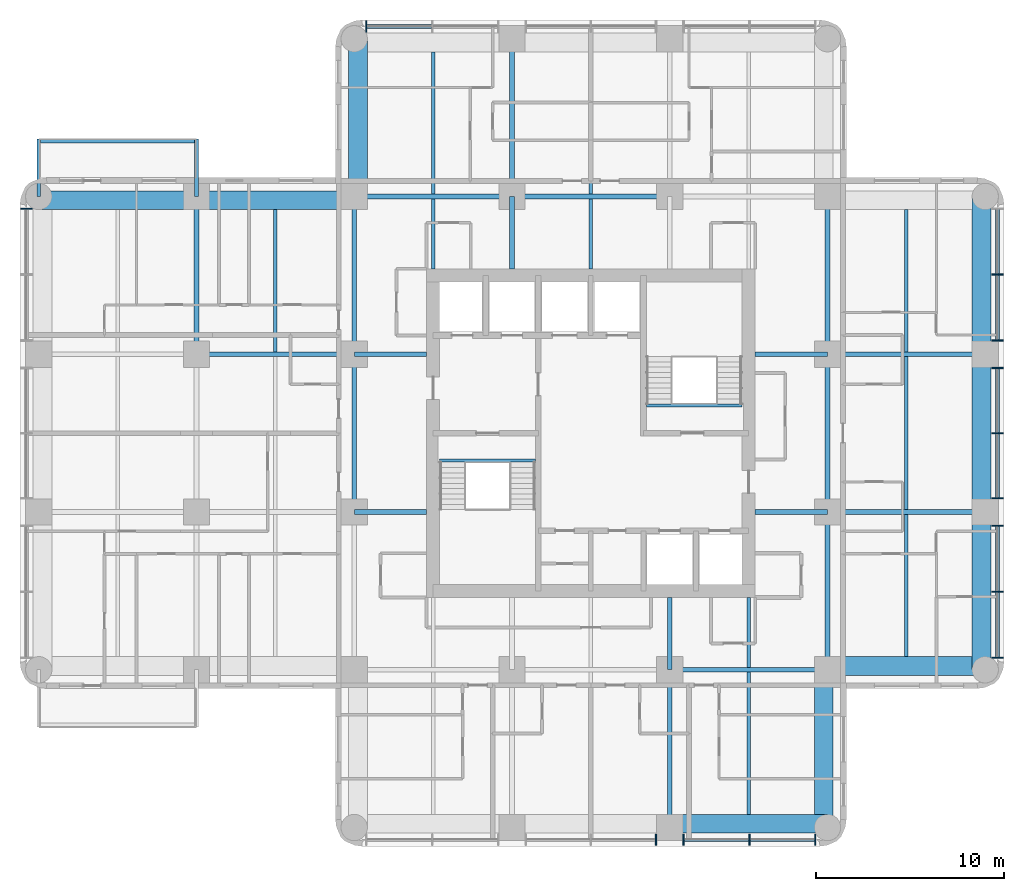
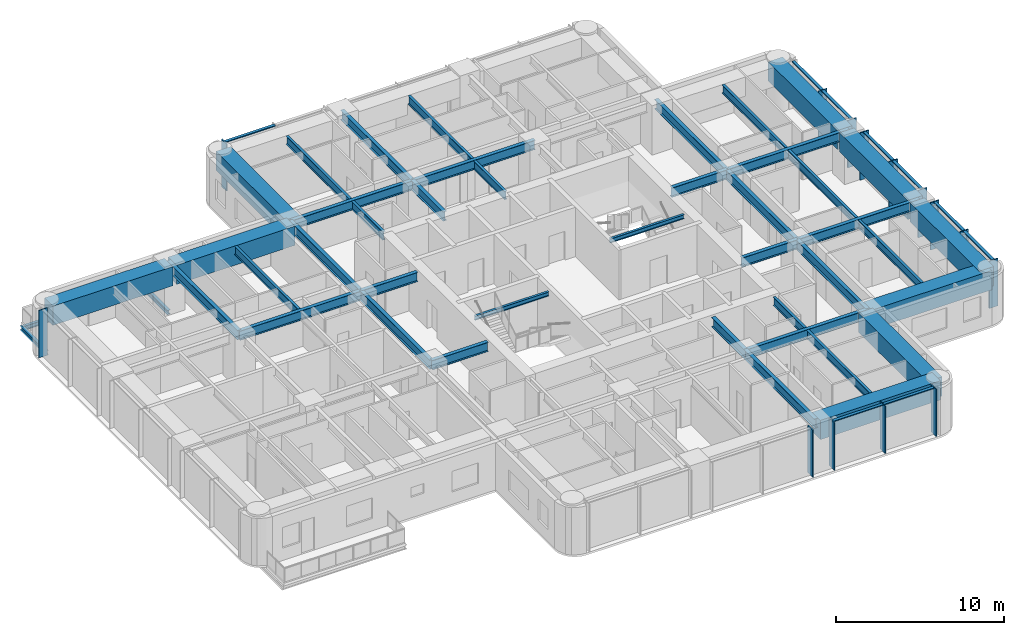
# One storey, part 2 of 11: 44 beams, 23 members, 4 elements without a shape of their own.
"""IFC4 building model written with IfcOpenShell, lengths in metres."""

from ifc_helpers import new_model, si_unit, direction, frame, origin, origin_2d, place, context, subcontext, project, spatial, rectangle, i_section, extrude, material, material_profile, profile_set, type_object, element, aggregate, save


model = new_model("IFC4")

# Units and contexts
model_context = context("Model", 3, precision=1e-05, world=origin(), true_north=direction((0.0, 1.0)))
body_context = subcontext(model_context, "Body", "Model", "MODEL_VIEW")
ifc_project = project(units=[si_unit("LENGTHUNIT", "METRE"), si_unit("AREAUNIT", "SQUARE_METRE"), si_unit("VOLUMEUNIT", "CUBIC_METRE"), si_unit("PLANEANGLEUNIT", "RADIAN"), si_unit("MASSUNIT", "GRAM", prefix="KILO")], contexts=[model_context])

# Site, building, storey
site_placement = place(None, origin())
site = spatial("IfcSite", under=ifc_project, at=site_placement, CompositionType="ELEMENT")
building_placement = place(site_placement, origin())
building = spatial("IfcBuilding", under=site, at=building_placement, Name="Torre Alcanfor", CompositionType="ELEMENT")
storey_placement = place(building_placement, frame((0.0, 0.0, 233.699951171875)))
storey = spatial("IfcBuildingStorey", under=building, at=storey_placement, Name="L61", CompositionType="ELEMENT", Elevation=233.699951171875)

# Beams
ifc_material_1 = material(Name="Steel ASTM A992 Grade 50", Category="steel")
ifc_material_profile_1 = material_profile(ifc_material_1, i_section(OverallWidth=0.205322265625, OverallDepth=0.309814453125, WebThickness=0.00927734375, FlangeThickness=0.016357421875, at=origin_2d()), Name="W12x50")
ifc_profile_set_1 = profile_set([ifc_material_profile_1], Name="Steel ASTM A992 Grade 50")
beam_type_1 = type_object("IfcBeamType", Name="Balcony cantilever beam W12x50", PredefinedType="BEAM", material=ifc_profile_set_1)
for number, where, z_axis, x_axis, name in (
    (1, (8.39990234375, 42.0, -0.35498046875), (0.0, 1.0, 0.0), (-1.0, 0.0, 0.0), "Balcony cantilever beam L61-W2 1"),
    (2, (0.0, 42.0, -0.35498046875), (0.0, 1.0, 0.0), (-1.0, 0.0, 0.0), "Balcony cantilever beam L61-W2 2"),
):
    element("IfcBeam", number, at=place(storey_placement, frame(where, z_axis=z_axis, x_axis=x_axis)), inside=storey, type_object=beam_type_1, Name=name, PredefinedType="BEAM", context=body_context, shape_type="SweptSolid", body=[
        extrude(i_section(OverallWidth=0.205322265625, OverallDepth=0.309814453125, WebThickness=0.00927734375, FlangeThickness=0.016357421875, at=origin_2d()), origin(), (0.0, 0.0, 1.0), 3.050048828125),
    ])
ifc_material_2 = material(Name="Steel ASTM A992 Grade 50", Category="steel")
ifc_material_profile_2 = material_profile(ifc_material_2, i_section(OverallWidth=0.203369140625, OverallDepth=0.30224609375, WebThickness=0.007568359375, FlangeThickness=0.01318359375, at=origin_2d()), Name="W12x40")
ifc_profile_set_2 = profile_set([ifc_material_profile_2], Name="Steel ASTM A992 Grade 50")
beam_type_2 = type_object("IfcBeamType", Name="Balcony edge trimmer W12x40", PredefinedType="BEAM", material=ifc_profile_set_2)
beam_1_placement = place(storey_placement, frame((8.39990234375, 44.9482421875, -0.35107421875), z_axis=(-1.0, 0.0, 0.0), x_axis=(0.0, -1.0, 0.0)))
element("IfcBeam", 3, at=beam_1_placement, inside=storey, type_object=beam_type_2, Name="Balcony edge trimmer L61-W2", PredefinedType="BEAM", context=body_context, shape_type="SweptSolid", body=[
    extrude(i_section(OverallWidth=0.203369140625, OverallDepth=0.30224609375, WebThickness=0.007568359375, FlangeThickness=0.01318359375, at=origin_2d()), origin(), (0.0, 0.0, 1.0), 8.39990234375),
])

# Curtain wall, member
ifc_material_3 = material(Name="Aluminium and glass", Category="aluminium")
curtain_wall_type = type_object("IfcCurtainWallType", Name="CW-A unitised apartment glazing with vertical FIN", PredefinedType="NOTDEFINED", material=ifc_material_3)
curtain_wall_1_placement = place(storey_placement, origin())
curtain_wall_1 = element("IfcCurtainWall", 4, at=curtain_wall_1_placement, inside=storey, type_object=curtain_wall_type, Name="Curtain wall CW-A L61 2", PredefinedType="NOTDEFINED")
ifc_material_4 = material(Name="Bronze anodised aluminium", Category="aluminium")
ifc_material_profile_3 = material_profile(ifc_material_4, rectangle(XDim=0.60009765625, YDim=0.06494140625, at=origin_2d()), Name="CW-A mullion 65x600")
ifc_profile_set_3 = profile_set([ifc_material_profile_3], Name="Bronze anodised aluminium")
member_type_1 = type_object("IfcMemberType", Name="CW-A mullion with vertical FIN 65x600", PredefinedType="MULLION", material=ifc_profile_set_3)
member_1_placement = place(storey_placement, frame((-0.64990234375, 41.35546875, 0.0), z_axis=(0.0, 0.0, 1.0), x_axis=(1.0, 0.0, 0.0)))
member_1 = element("IfcMember", 5, at=member_1_placement, type_object=member_type_1, Name="CW-A mullion 1.1", PredefinedType="MULLION", context=body_context, shape_type="SweptSolid", body=[
    extrude(rectangle(XDim=0.60009765625, YDim=0.06494140625, at=origin_2d()), origin(), (0.0, 0.0, 1.0), 3.449951171875),
])
aggregate(curtain_wall_1, [member_1])

# Curtain wall, members
curtain_wall_2_placement = place(storey_placement, origin())
curtain_wall_2 = element("IfcCurtainWall", 6, at=curtain_wall_2_placement, inside=storey, type_object=curtain_wall_type, Name="Curtain wall CW-A L61 5", PredefinedType="NOTDEFINED")
member_2_placement = place(storey_placement, frame((32.862548828125, 7.75, 0.0), z_axis=(0.0, 0.0, 1.0), x_axis=(0.0, 1.0, 0.0)))
member_2 = element("IfcMember", 7, at=member_2_placement, type_object=member_type_1, Name="CW-A mullion 2.3", PredefinedType="MULLION", context=body_context, shape_type="SweptSolid", body=[
    extrude(rectangle(XDim=0.60009765625, YDim=0.06494140625, at=origin_2d()), origin(), (0.0, 0.0, 1.0), 3.449951171875),
])
member_3_placement = place(storey_placement, frame((34.33740234375, 7.75, 0.0), z_axis=(0.0, 0.0, 1.0), x_axis=(0.0, 1.0, 0.0)))
member_3 = element("IfcMember", 8, at=member_3_placement, type_object=member_type_1, Name="CW-A mullion 3.1", PredefinedType="MULLION", context=body_context, shape_type="SweptSolid", body=[
    extrude(rectangle(XDim=0.60009765625, YDim=0.06494140625, at=origin_2d()), origin(), (0.0, 0.0, 1.0), 3.449951171875),
])
member_4_placement = place(storey_placement, frame((37.846435546875, 7.75, 0.0), z_axis=(0.0, 0.0, 1.0), x_axis=(0.0, 1.0, 0.0)))
member_4 = element("IfcMember", 9, at=member_4_placement, type_object=member_type_1, Name="CW-A mullion 3.2", PredefinedType="MULLION", context=body_context, shape_type="SweptSolid", body=[
    extrude(rectangle(XDim=0.60009765625, YDim=0.06494140625, at=origin_2d()), origin(), (0.0, 0.0, 1.0), 3.449951171875),
])
member_5_placement = place(storey_placement, frame((41.35546875, 7.75, 0.0), z_axis=(0.0, 0.0, 1.0), x_axis=(0.0, 1.0, 0.0)))
member_5 = element("IfcMember", 10, at=member_5_placement, type_object=member_type_1, Name="CW-A mullion 3.3", PredefinedType="MULLION", context=body_context, shape_type="SweptSolid", body=[
    extrude(rectangle(XDim=0.60009765625, YDim=0.06494140625, at=origin_2d()), origin(), (0.0, 0.0, 1.0), 3.449951171875),
])

curtain_wall_3_placement = place(storey_placement, origin())
curtain_wall_3 = element("IfcCurtainWall", 11, at=curtain_wall_3_placement, inside=storey, type_object=curtain_wall_type, Name="Curtain wall CW-A L61 8", PredefinedType="NOTDEFINED")
member_6_placement = place(storey_placement, frame((51.050048828125, 17.444580078125, 0.0), z_axis=(0.0, 0.0, 1.0), x_axis=(-1.0, 0.0, 0.0)))
member_6 = element("IfcMember", 12, at=member_6_placement, type_object=member_type_1, Name="CW-A mullion 1.1", PredefinedType="MULLION", context=body_context, shape_type="SweptSolid", body=[
    extrude(rectangle(XDim=0.60009765625, YDim=0.06494140625, at=origin_2d()), origin(), (0.0, 0.0, 1.0), 3.449951171875),
])
member_7_placement = place(storey_placement, frame((51.050048828125, 20.95361328125, 0.0), z_axis=(0.0, 0.0, 1.0), x_axis=(-1.0, 0.0, 0.0)))
member_7 = element("IfcMember", 13, at=member_7_placement, type_object=member_type_1, Name="CW-A mullion 1.2", PredefinedType="MULLION", context=body_context, shape_type="SweptSolid", body=[
    extrude(rectangle(XDim=0.60009765625, YDim=0.06494140625, at=origin_2d()), origin(), (0.0, 0.0, 1.0), 3.449951171875),
])
member_8_placement = place(storey_placement, frame((51.050048828125, 24.46240234375, 0.0), z_axis=(0.0, 0.0, 1.0), x_axis=(-1.0, 0.0, 0.0)))
member_8 = element("IfcMember", 14, at=member_8_placement, type_object=member_type_1, Name="CW-A mullion 1.3", PredefinedType="MULLION", context=body_context, shape_type="SweptSolid", body=[
    extrude(rectangle(XDim=0.60009765625, YDim=0.06494140625, at=origin_2d()), origin(), (0.0, 0.0, 1.0), 3.449951171875),
])
member_9_placement = place(storey_placement, frame((51.050048828125, 25.9375, 0.0), z_axis=(0.0, 0.0, 1.0), x_axis=(-1.0, 0.0, 0.0)))
member_9 = element("IfcMember", 15, at=member_9_placement, type_object=member_type_1, Name="CW-A mullion 2.1", PredefinedType="MULLION", context=body_context, shape_type="SweptSolid", body=[
    extrude(rectangle(XDim=0.60009765625, YDim=0.06494140625, at=origin_2d()), origin(), (0.0, 0.0, 1.0), 3.449951171875),
])
member_10_placement = place(storey_placement, frame((51.050048828125, 29.39990234375, 0.0), z_axis=(0.0, 0.0, 1.0), x_axis=(-1.0, 0.0, 0.0)))
member_10 = element("IfcMember", 16, at=member_10_placement, type_object=member_type_1, Name="CW-A mullion 2.2", PredefinedType="MULLION", context=body_context, shape_type="SweptSolid", body=[
    extrude(rectangle(XDim=0.60009765625, YDim=0.06494140625, at=origin_2d()), origin(), (0.0, 0.0, 1.0), 3.449951171875),
])
member_11_placement = place(storey_placement, frame((51.050048828125, 32.862548828125, 0.0), z_axis=(0.0, 0.0, 1.0), x_axis=(-1.0, 0.0, 0.0)))
member_11 = element("IfcMember", 17, at=member_11_placement, type_object=member_type_1, Name="CW-A mullion 2.3", PredefinedType="MULLION", context=body_context, shape_type="SweptSolid", body=[
    extrude(rectangle(XDim=0.60009765625, YDim=0.06494140625, at=origin_2d()), origin(), (0.0, 0.0, 1.0), 3.449951171875),
])
member_12_placement = place(storey_placement, frame((51.050048828125, 34.33740234375, 0.0), z_axis=(0.0, 0.0, 1.0), x_axis=(-1.0, 0.0, 0.0)))
member_12 = element("IfcMember", 18, at=member_12_placement, type_object=member_type_1, Name="CW-A mullion 3.1", PredefinedType="MULLION", context=body_context, shape_type="SweptSolid", body=[
    extrude(rectangle(XDim=0.60009765625, YDim=0.06494140625, at=origin_2d()), origin(), (0.0, 0.0, 1.0), 3.449951171875),
])
member_13_placement = place(storey_placement, frame((51.050048828125, 37.846435546875, 0.0), z_axis=(0.0, 0.0, 1.0), x_axis=(-1.0, 0.0, 0.0)))
member_13 = element("IfcMember", 19, at=member_13_placement, type_object=member_type_1, Name="CW-A mullion 3.2", PredefinedType="MULLION", context=body_context, shape_type="SweptSolid", body=[
    extrude(rectangle(XDim=0.60009765625, YDim=0.06494140625, at=origin_2d()), origin(), (0.0, 0.0, 1.0), 3.449951171875),
])

# Curtain wall, member
curtain_wall_4_placement = place(storey_placement, origin())
curtain_wall_4 = element("IfcCurtainWall", 20, at=curtain_wall_4_placement, inside=storey, type_object=curtain_wall_type, Name="Curtain wall CW-A L61 11", PredefinedType="NOTDEFINED")
member_14_placement = place(storey_placement, frame((17.444580078125, 51.050048828125, 0.0), z_axis=(0.0, 0.0, 1.0), x_axis=(0.0, -1.0, 0.0)))
member_14 = element("IfcMember", 21, at=member_14_placement, type_object=member_type_1, Name="CW-A mullion 3.3", PredefinedType="MULLION", context=body_context, shape_type="SweptSolid", body=[
    extrude(rectangle(XDim=0.60009765625, YDim=0.06494140625, at=origin_2d()), origin(), (0.0, 0.0, 1.0), 3.449951171875),
])

# Member
ifc_material_5 = material(Name="Extruded aluminium", Category="aluminium")
ifc_material_profile_4 = material_profile(ifc_material_5, rectangle(XDim=0.199951171875, YDim=0.06494140625, at=origin_2d()), Name="CW-A transom 200x65")
ifc_profile_set_4 = profile_set([ifc_material_profile_4], Name="Extruded aluminium")
member_type_2 = type_object("IfcMemberType", Name="CW-A transom 65x200", PredefinedType="USERDEFINED", material=ifc_profile_set_4)
member_15_placement = place(storey_placement, frame((34.3701171875, 7.75, 3.41748046875), z_axis=(1.0, 0.0, 0.0), x_axis=(0.0, 1.0, 0.0)))
member_15 = element("IfcMember", 22, at=member_15_placement, type_object=member_type_2, Name="CW-A transom 3.1.2", ObjectType="TRANSOM", PredefinedType="USERDEFINED", context=body_context, shape_type="SweptSolid", body=[
    extrude(rectangle(XDim=0.199951171875, YDim=0.06494140625, at=origin_2d()), origin(), (0.0, 0.0, 1.0), 3.44384765625),
])

member_16_placement = place(storey_placement, frame((37.87890625, 7.75, 3.41748046875), z_axis=(1.0, 0.0, 0.0), x_axis=(0.0, 1.0, 0.0)))
member_16 = element("IfcMember", 23, at=member_16_placement, type_object=member_type_2, Name="CW-A transom 3.2.2", ObjectType="TRANSOM", PredefinedType="USERDEFINED", context=body_context, shape_type="SweptSolid", body=[
    extrude(rectangle(XDim=0.199951171875, YDim=0.06494140625, at=origin_2d()), origin(), (0.0, 0.0, 1.0), 3.444091796875),
])

aggregate(curtain_wall_2, [member_2, member_3, member_4, member_5, member_15, member_16])

member_17_placement = place(storey_placement, frame((51.050048828125, 17.47705078125, 3.41748046875), z_axis=(0.0, 1.0, 0.0), x_axis=(-1.0, 0.0, 0.0)))
member_17 = element("IfcMember", 24, at=member_17_placement, type_object=member_type_2, Name="CW-A transom 1.1.2", ObjectType="TRANSOM", PredefinedType="USERDEFINED", context=body_context, shape_type="SweptSolid", body=[
    extrude(rectangle(XDim=0.199951171875, YDim=0.06494140625, at=origin_2d()), origin(), (0.0, 0.0, 1.0), 3.44384765625),
])

member_18_placement = place(storey_placement, frame((51.050048828125, 20.986083984375, 3.41748046875), z_axis=(0.0, 1.0, 0.0), x_axis=(-1.0, 0.0, 0.0)))
member_18 = element("IfcMember", 25, at=member_18_placement, type_object=member_type_2, Name="CW-A transom 1.2.2", ObjectType="TRANSOM", PredefinedType="USERDEFINED", context=body_context, shape_type="SweptSolid", body=[
    extrude(rectangle(XDim=0.199951171875, YDim=0.06494140625, at=origin_2d()), origin(), (0.0, 0.0, 1.0), 3.44384765625),
])

member_19_placement = place(storey_placement, frame((51.050048828125, 25.969970703125, 3.41748046875), z_axis=(0.0, 1.0, 0.0), x_axis=(-1.0, 0.0, 0.0)))
member_19 = element("IfcMember", 26, at=member_19_placement, type_object=member_type_2, Name="CW-A transom 2.1.2", ObjectType="TRANSOM", PredefinedType="USERDEFINED", context=body_context, shape_type="SweptSolid", body=[
    extrude(rectangle(XDim=0.199951171875, YDim=0.06494140625, at=origin_2d()), origin(), (0.0, 0.0, 1.0), 3.3974609375),
])

member_20_placement = place(storey_placement, frame((51.050048828125, 29.4326171875, 3.41748046875), z_axis=(0.0, 1.0, 0.0), x_axis=(-1.0, 0.0, 0.0)))
member_20 = element("IfcMember", 27, at=member_20_placement, type_object=member_type_2, Name="CW-A transom 2.2.2", ObjectType="TRANSOM", PredefinedType="USERDEFINED", context=body_context, shape_type="SweptSolid", body=[
    extrude(rectangle(XDim=0.199951171875, YDim=0.06494140625, at=origin_2d()), origin(), (0.0, 0.0, 1.0), 3.3974609375),
])

member_21_placement = place(storey_placement, frame((51.050048828125, 34.3701171875, 3.41748046875), z_axis=(0.0, 1.0, 0.0), x_axis=(-1.0, 0.0, 0.0)))
member_21 = element("IfcMember", 28, at=member_21_placement, type_object=member_type_2, Name="CW-A transom 3.1.2", ObjectType="TRANSOM", PredefinedType="USERDEFINED", context=body_context, shape_type="SweptSolid", body=[
    extrude(rectangle(XDim=0.199951171875, YDim=0.06494140625, at=origin_2d()), origin(), (0.0, 0.0, 1.0), 3.44384765625),
])

member_22_placement = place(storey_placement, frame((51.050048828125, 37.87890625, 3.41748046875), z_axis=(0.0, 1.0, 0.0), x_axis=(-1.0, 0.0, 0.0)))
member_22 = element("IfcMember", 29, at=member_22_placement, type_object=member_type_2, Name="CW-A transom 3.2.2", ObjectType="TRANSOM", PredefinedType="USERDEFINED", context=body_context, shape_type="SweptSolid", body=[
    extrude(rectangle(XDim=0.199951171875, YDim=0.06494140625, at=origin_2d()), origin(), (0.0, 0.0, 1.0), 3.444091796875),
])

aggregate(curtain_wall_3, [member_6, member_7, member_8, member_17, member_18, member_9, member_10, member_11, member_19, member_20, member_12, member_13, member_21, member_22])

member_23_placement = place(storey_placement, frame((20.9208984375, 51.050048828125, 3.41748046875), z_axis=(-1.0, 0.0, 0.0), x_axis=(0.0, -1.0, 0.0)))
member_23 = element("IfcMember", 30, at=member_23_placement, type_object=member_type_2, Name="CW-A transom 3.2.2", ObjectType="TRANSOM", PredefinedType="USERDEFINED", context=body_context, shape_type="SweptSolid", body=[
    extrude(rectangle(XDim=0.199951171875, YDim=0.06494140625, at=origin_2d()), origin(), (0.0, 0.0, 1.0), 3.44384765625),
])

aggregate(curtain_wall_4, [member_14, member_23])

# Beams
ifc_material_6 = material(Name="Steel ASTM A992 Grade 50", Category="steel")
ifc_material_profile_5 = material_profile(ifc_material_6, i_section(OverallWidth=0.25390625, OverallDepth=0.683349609375, WebThickness=0.012451171875, FlangeThickness=0.01904296875, at=origin_2d()), Name="W27x94")
ifc_profile_set_5 = profile_set([ifc_material_profile_5], Name="Steel ASTM A992 Grade 50")
beam_type_3 = type_object("IfcBeamType", Name="Girder W27x94", PredefinedType="BEAM", material=ifc_profile_set_5)
for number, where, z_axis, x_axis, name in (
    (31, (33.60009765625, 16.800048828125, 3.1083984375), (1.0, 0.0, 0.0), (0.0, 1.0, 0.0), "Beam 5E-6E under L62"),
    (32, (42.0, 25.199951171875, 3.1083984375), (1.0, 0.0, 0.0), (0.0, 1.0, 0.0), "Beam 6F-7F under L62"),
):
    element("IfcBeam", number, at=place(storey_placement, frame(where, z_axis=z_axis, x_axis=x_axis)), inside=storey, type_object=beam_type_3, Name=name, PredefinedType="BEAM", context=body_context, shape_type="SweptSolid", body=[
        extrude(i_section(OverallWidth=0.25390625, OverallDepth=0.683349609375, WebThickness=0.012451171875, FlangeThickness=0.01904296875, at=origin_2d()), origin(), (0.0, 0.0, 1.0), 8.39990234375),
    ])
beam_2_placement = place(storey_placement, frame((8.39990234375, 33.60009765625, 3.1083984375), z_axis=(1.0, 0.0, 0.0), x_axis=(0.0, 1.0, 0.0)))
element("IfcBeam", 33, at=beam_2_placement, inside=storey, type_object=beam_type_3, Name="Beam 2G-3G under L62", PredefinedType="BEAM", context=body_context, shape_type="SweptSolid", body=[
    extrude(i_section(OverallWidth=0.25390625, OverallDepth=0.683349609375, WebThickness=0.012451171875, FlangeThickness=0.01904296875, at=origin_2d()), origin(), (0.0, 0.0, 1.0), 8.400146484375),
])
for number, where, z_axis, x_axis, name in (
    (34, (42.0, 33.60009765625, 3.1083984375), (1.0, 0.0, 0.0), (0.0, 1.0, 0.0), "Beam 6G-7G under L62"),
    (35, (16.800048828125, 42.0, 3.1083984375), (1.0, 0.0, 0.0), (0.0, 1.0, 0.0), "Beam 3H-4H under L62"),
):
    element("IfcBeam", number, at=place(storey_placement, frame(where, z_axis=z_axis, x_axis=x_axis)), inside=storey, type_object=beam_type_3, Name=name, PredefinedType="BEAM", context=body_context, shape_type="SweptSolid", body=[
        extrude(i_section(OverallWidth=0.25390625, OverallDepth=0.683349609375, WebThickness=0.012451171875, FlangeThickness=0.01904296875, at=origin_2d()), origin(), (0.0, 0.0, 1.0), 8.39990234375),
    ])
beam_3_placement = place(storey_placement, frame((25.199951171875, 42.0, 3.1083984375), z_axis=(1.0, 0.0, 0.0), x_axis=(0.0, 1.0, 0.0)))
element("IfcBeam", 36, at=beam_3_placement, inside=storey, type_object=beam_type_3, Name="Beam 4H-5H under L62", PredefinedType="BEAM", context=body_context, shape_type="SweptSolid", body=[
    extrude(i_section(OverallWidth=0.25390625, OverallDepth=0.683349609375, WebThickness=0.012451171875, FlangeThickness=0.01904296875, at=origin_2d()), origin(), (0.0, 0.0, 1.0), 8.400146484375),
])
beam_4_placement = place(storey_placement, frame((8.39990234375, 33.60009765625, 3.1083984375), z_axis=(0.0, 1.0, 0.0), x_axis=(-1.0, 0.0, 0.0)))
element("IfcBeam", 37, at=beam_4_placement, inside=storey, type_object=beam_type_3, Name="Beam 2G-2H under L62", PredefinedType="BEAM", context=body_context, shape_type="SweptSolid", body=[
    extrude(i_section(OverallWidth=0.25390625, OverallDepth=0.683349609375, WebThickness=0.012451171875, FlangeThickness=0.01904296875, at=origin_2d()), origin(), (0.0, 0.0, 1.0), 8.39990234375),
])
beam_5_placement = place(storey_placement, frame((16.800048828125, 25.199951171875, 3.1083984375), z_axis=(0.0, 1.0, 0.0), x_axis=(-1.0, 0.0, 0.0)))
element("IfcBeam", 38, at=beam_5_placement, inside=storey, type_object=beam_type_3, Name="Beam 3F-3G under L62", PredefinedType="BEAM", context=body_context, shape_type="SweptSolid", body=[
    extrude(i_section(OverallWidth=0.25390625, OverallDepth=0.683349609375, WebThickness=0.012451171875, FlangeThickness=0.01904296875, at=origin_2d()), origin(), (0.0, 0.0, 1.0), 8.400146484375),
])
for number, where, z_axis, x_axis, name in (
    (39, (16.800048828125, 33.60009765625, 3.1083984375), (0.0, 1.0, 0.0), (-1.0, 0.0, 0.0), "Beam 3G-3H under L62"),
    (40, (25.199951171875, 42.0, 3.1083984375), (0.0, 1.0, 0.0), (-1.0, 0.0, 0.0), "Beam 4H-4J under L62"),
):
    element("IfcBeam", number, at=place(storey_placement, frame(where, z_axis=z_axis, x_axis=x_axis)), inside=storey, type_object=beam_type_3, Name=name, PredefinedType="BEAM", context=body_context, shape_type="SweptSolid", body=[
        extrude(i_section(OverallWidth=0.25390625, OverallDepth=0.683349609375, WebThickness=0.012451171875, FlangeThickness=0.01904296875, at=origin_2d()), origin(), (0.0, 0.0, 1.0), 8.39990234375),
    ])
beam_6_placement = place(storey_placement, frame((33.60009765625, 8.39990234375, 3.1083984375), z_axis=(0.0, 1.0, 0.0), x_axis=(-1.0, 0.0, 0.0)))
element("IfcBeam", 41, at=beam_6_placement, inside=storey, type_object=beam_type_3, Name="Beam 5D-5E under L62", PredefinedType="BEAM", context=body_context, shape_type="SweptSolid", body=[
    extrude(i_section(OverallWidth=0.25390625, OverallDepth=0.683349609375, WebThickness=0.012451171875, FlangeThickness=0.01904296875, at=origin_2d()), origin(), (0.0, 0.0, 1.0), 8.400146484375),
])
beam_7_placement = place(storey_placement, frame((42.0, 16.800048828125, 3.1083984375), z_axis=(0.0, 1.0, 0.0), x_axis=(-1.0, 0.0, 0.0)))
element("IfcBeam", 42, at=beam_7_placement, inside=storey, type_object=beam_type_3, Name="Beam 6E-6F under L62", PredefinedType="BEAM", context=body_context, shape_type="SweptSolid", body=[
    extrude(i_section(OverallWidth=0.25390625, OverallDepth=0.683349609375, WebThickness=0.012451171875, FlangeThickness=0.01904296875, at=origin_2d()), origin(), (0.0, 0.0, 1.0), 8.39990234375),
])
beam_8_placement = place(storey_placement, frame((42.0, 25.199951171875, 3.1083984375), z_axis=(0.0, 1.0, 0.0), x_axis=(-1.0, 0.0, 0.0)))
element("IfcBeam", 43, at=beam_8_placement, inside=storey, type_object=beam_type_3, Name="Beam 6F-6G under L62", PredefinedType="BEAM", context=body_context, shape_type="SweptSolid", body=[
    extrude(i_section(OverallWidth=0.25390625, OverallDepth=0.683349609375, WebThickness=0.012451171875, FlangeThickness=0.01904296875, at=origin_2d()), origin(), (0.0, 0.0, 1.0), 8.400146484375),
])
beam_9_placement = place(storey_placement, frame((42.0, 33.60009765625, 3.1083984375), z_axis=(0.0, 1.0, 0.0), x_axis=(-1.0, 0.0, 0.0)))
element("IfcBeam", 44, at=beam_9_placement, inside=storey, type_object=beam_type_3, Name="Beam 6G-6H under L62", PredefinedType="BEAM", context=body_context, shape_type="SweptSolid", body=[
    extrude(i_section(OverallWidth=0.25390625, OverallDepth=0.683349609375, WebThickness=0.012451171875, FlangeThickness=0.01904296875, at=origin_2d()), origin(), (0.0, 0.0, 1.0), 8.39990234375),
])
ifc_material_7 = material(Name="Steel ASTM A992 Grade 50", Category="steel")
ifc_material_profile_6 = material_profile(ifc_material_7, i_section(OverallWidth=0.25390625, OverallDepth=0.683349609375, WebThickness=0.012451171875, FlangeThickness=0.01904296875, at=origin_2d()), Name="W27x94")
ifc_profile_set_6 = profile_set([ifc_material_profile_6], Name="Steel ASTM A992 Grade 50")
beam_type_4 = type_object("IfcBeamType", Name="Girder, part bay W27x94", PredefinedType="BEAM", material=ifc_profile_set_6)
beam_10_placement = place(storey_placement, frame((25.199951171875, 42.0, 3.1083984375), z_axis=(0.0, -1.0, 0.0), x_axis=(1.0, 0.0, 0.0)))
element("IfcBeam", 45, at=beam_10_placement, inside=storey, type_object=beam_type_4, Name="Beam 4H-438_15 under L62", PredefinedType="BEAM", context=body_context, shape_type="SweptSolid", body=[
    extrude(i_section(OverallWidth=0.25390625, OverallDepth=0.683349609375, WebThickness=0.012451171875, FlangeThickness=0.01904296875, at=origin_2d()), origin(), (0.0, 0.0, 1.0), 3.85009765625),
])
for number, where, z_axis, x_axis, name in (
    (46, (33.60009765625, 16.800048828125, 3.1083984375), (0.0, 1.0, 0.0), (-1.0, 0.0, 0.0), "Beam 5E-520_65 under L62"),
    (47, (16.800048828125, 25.199951171875, 3.1083984375), (1.0, 0.0, 0.0), (0.0, 1.0, 0.0), "Beam 3F-20_65F under L62"),
):
    element("IfcBeam", number, at=place(storey_placement, frame(where, z_axis=z_axis, x_axis=x_axis)), inside=storey, type_object=beam_type_4, Name=name, PredefinedType="BEAM", context=body_context, shape_type="SweptSolid", body=[
        extrude(i_section(OverallWidth=0.25390625, OverallDepth=0.683349609375, WebThickness=0.012451171875, FlangeThickness=0.01904296875, at=origin_2d()), origin(), (0.0, 0.0, 1.0), 3.849853515625),
    ])
beam_11_placement = place(storey_placement, frame((42.0, 25.199951171875, 3.1083984375), z_axis=(-1.0, 0.0, 0.0), x_axis=(0.0, -1.0, 0.0)))
element("IfcBeam", 48, at=beam_11_placement, inside=storey, type_object=beam_type_4, Name="Beam 6F-38_15F under L62", PredefinedType="BEAM", context=body_context, shape_type="SweptSolid", body=[
    extrude(i_section(OverallWidth=0.25390625, OverallDepth=0.683349609375, WebThickness=0.012451171875, FlangeThickness=0.01904296875, at=origin_2d()), origin(), (0.0, 0.0, 1.0), 3.85009765625),
])
beam_12_placement = place(storey_placement, frame((16.800048828125, 33.60009765625, 3.1083984375), z_axis=(1.0, 0.0, 0.0), x_axis=(0.0, 1.0, 0.0)))
element("IfcBeam", 49, at=beam_12_placement, inside=storey, type_object=beam_type_4, Name="Beam 3G-20_65G under L62", PredefinedType="BEAM", context=body_context, shape_type="SweptSolid", body=[
    extrude(i_section(OverallWidth=0.25390625, OverallDepth=0.683349609375, WebThickness=0.012451171875, FlangeThickness=0.01904296875, at=origin_2d()), origin(), (0.0, 0.0, 1.0), 3.849853515625),
])
beam_13_placement = place(storey_placement, frame((42.0, 33.60009765625, 3.1083984375), z_axis=(-1.0, 0.0, 0.0), x_axis=(0.0, -1.0, 0.0)))
element("IfcBeam", 50, at=beam_13_placement, inside=storey, type_object=beam_type_4, Name="Beam 6G-38_15G under L62", PredefinedType="BEAM", context=body_context, shape_type="SweptSolid", body=[
    extrude(i_section(OverallWidth=0.25390625, OverallDepth=0.683349609375, WebThickness=0.012451171875, FlangeThickness=0.01904296875, at=origin_2d()), origin(), (0.0, 0.0, 1.0), 3.85009765625),
])
ifc_material_8 = material(Name="Concrete f'c 70 MPa", Category="concrete")
ifc_material_profile_7 = material_profile(ifc_material_8, rectangle(XDim=1.0, YDim=1.39990234375, at=origin_2d()), Name="1000x1400")
ifc_profile_set_7 = profile_set([ifc_material_profile_7], Name="Concrete f'c 70 MPa")
beam_type_5 = type_object("IfcBeamType", Name="RC perimeter beam 1000x1400", PredefinedType="BEAM", material=ifc_profile_set_7)
for number, where, z_axis, x_axis, name in (
    (51, (33.72705078125, 8.60009765625, 2.75), (1.0, 0.0, 0.0), (0.0, 1.0, 0.0), "Beam 5D-6D under L62"),
    (52, (42.126953125, 17.0, 2.75), (1.0, 0.0, 0.0), (0.0, 1.0, 0.0), "Beam 6E-7E under L62"),
    (53, (0.0, 41.800048828125, 2.75), (1.0, 0.0, 0.0), (0.0, 1.0, 0.0), "Beam 1H-2H under L62"),
):
    element("IfcBeam", number, at=place(storey_placement, frame(where, z_axis=z_axis, x_axis=x_axis)), inside=storey, type_object=beam_type_5, Name=name, PredefinedType="BEAM", context=body_context, shape_type="SweptSolid", body=[
        extrude(rectangle(XDim=1.0, YDim=1.39990234375, at=origin_2d()), origin(), (0.0, 0.0, 1.0), 8.27294921875),
    ])
beam_14_placement = place(storey_placement, frame((8.527099609375, 41.800048828125, 2.75), z_axis=(1.0, 0.0, 0.0), x_axis=(0.0, 1.0, 0.0)))
element("IfcBeam", 54, at=beam_14_placement, inside=storey, type_object=beam_type_5, Name="Beam 2H-3H under L62", PredefinedType="BEAM", context=body_context, shape_type="SweptSolid", body=[
    extrude(rectangle(XDim=1.0, YDim=1.39990234375, at=origin_2d()), origin(), (0.0, 0.0, 1.0), 8.14599609375),
])
beam_15_placement = place(storey_placement, frame((17.0, 42.126953125, 2.75), z_axis=(0.0, 1.0, 0.0), x_axis=(-1.0, 0.0, 0.0)))
element("IfcBeam", 55, at=beam_15_placement, inside=storey, type_object=beam_type_5, Name="Beam 3H-3J under L62", PredefinedType="BEAM", context=body_context, shape_type="SweptSolid", body=[
    extrude(rectangle(XDim=1.0, YDim=1.39990234375, at=origin_2d()), origin(), (0.0, 0.0, 1.0), 8.27294921875),
])
beam_16_placement = place(storey_placement, frame((41.800048828125, 8.39990234375, 2.75), z_axis=(0.0, 1.0, 0.0), x_axis=(-1.0, 0.0, 0.0)))
element("IfcBeam", 56, at=beam_16_placement, inside=storey, type_object=beam_type_5, Name="Beam 6D-6E under L62", PredefinedType="BEAM", context=body_context, shape_type="SweptSolid", body=[
    extrude(rectangle(XDim=1.0, YDim=1.39990234375, at=origin_2d()), origin(), (0.0, 0.0, 1.0), 8.273193359375),
])
beam_17_placement = place(storey_placement, frame((50.199951171875, 16.800048828125, 2.75), z_axis=(0.0, 1.0, 0.0), x_axis=(-1.0, 0.0, 0.0)))
element("IfcBeam", 57, at=beam_17_placement, inside=storey, type_object=beam_type_5, Name="Beam 7E-7F under L62", PredefinedType="BEAM", context=body_context, shape_type="SweptSolid", body=[
    extrude(rectangle(XDim=1.0, YDim=1.39990234375, at=origin_2d()), origin(), (0.0, 0.0, 1.0), 8.27294921875),
])
beam_18_placement = place(storey_placement, frame((50.199951171875, 25.326904296875, 2.75), z_axis=(0.0, 1.0, 0.0), x_axis=(-1.0, 0.0, 0.0)))
element("IfcBeam", 58, at=beam_18_placement, inside=storey, type_object=beam_type_5, Name="Beam 7F-7G under L62", PredefinedType="BEAM", context=body_context, shape_type="SweptSolid", body=[
    extrude(rectangle(XDim=1.0, YDim=1.39990234375, at=origin_2d()), origin(), (0.0, 0.0, 1.0), 8.14599609375),
])
beam_19_placement = place(storey_placement, frame((50.199951171875, 33.72705078125, 2.75), z_axis=(0.0, 1.0, 0.0), x_axis=(-1.0, 0.0, 0.0)))
element("IfcBeam", 59, at=beam_19_placement, inside=storey, type_object=beam_type_5, Name="Beam 7G-7H under L62", PredefinedType="BEAM", context=body_context, shape_type="SweptSolid", body=[
    extrude(rectangle(XDim=1.0, YDim=1.39990234375, at=origin_2d()), origin(), (0.0, 0.0, 1.0), 8.27294921875),
])
ifc_material_9 = material(Name="Steel ASTM A992 Grade 50", Category="steel")
ifc_material_profile_8 = material_profile(ifc_material_9, i_section(OverallWidth=0.1787109375, OverallDepth=0.60205078125, WebThickness=0.010986328125, FlangeThickness=0.014892578125, at=origin_2d()), Name="W24x62")
ifc_profile_set_8 = profile_set([ifc_material_profile_8], Name="Steel ASTM A992 Grade 50")
beam_type_6 = type_object("IfcBeamType", Name="Secondary beam W24x62", PredefinedType="BEAM", material=ifc_profile_set_8)
for number, where, z_axis, x_axis, name in (
    (60, (12.60009765625, 33.72705078125, 3.149169921875), (0.0, 1.0, 0.0), (-1.0, 0.0, 0.0), "Beam 12_6G-12_6H under L62"),
    (61, (21.0, 42.126953125, 3.149169921875), (0.0, 1.0, 0.0), (-1.0, 0.0, 0.0), "Beam 21H-21J under L62"),
    (62, (29.39990234375, 42.126953125, 3.149169921875), (0.0, 1.0, 0.0), (-1.0, 0.0, 0.0), "Beam 29_4H-29_4J under L62"),
    (63, (37.800048828125, 9.10009765625, 3.149169921875), (0.0, 1.0, 0.0), (-1.0, 0.0, 0.0), "Beam 37_8D-37_8E under L62"),
    (64, (46.199951171875, 17.5, 3.149169921875), (0.0, 1.0, 0.0), (-1.0, 0.0, 0.0), "Beam 46_2E-46_2F under L62"),
):
    element("IfcBeam", number, at=place(storey_placement, frame(where, z_axis=z_axis, x_axis=x_axis)), inside=storey, type_object=beam_type_6, Name=name, PredefinedType="BEAM", context=body_context, shape_type="SweptSolid", body=[
        extrude(i_section(OverallWidth=0.1787109375, OverallDepth=0.60205078125, WebThickness=0.010986328125, FlangeThickness=0.014892578125, at=origin_2d()), origin(), (0.0, 0.0, 1.0), 7.572998046875),
    ])
beam_20_placement = place(storey_placement, frame((46.199951171875, 25.326904296875, 3.149169921875), z_axis=(0.0, 1.0, 0.0), x_axis=(-1.0, 0.0, 0.0)))
element("IfcBeam", 65, at=beam_20_placement, inside=storey, type_object=beam_type_6, Name="Beam 46_2F-46_2G under L62", PredefinedType="BEAM", context=body_context, shape_type="SweptSolid", body=[
    extrude(i_section(OverallWidth=0.1787109375, OverallDepth=0.60205078125, WebThickness=0.010986328125, FlangeThickness=0.014892578125, at=origin_2d()), origin(), (0.0, 0.0, 1.0), 8.14599609375),
])
beam_21_placement = place(storey_placement, frame((46.199951171875, 33.72705078125, 3.149169921875), z_axis=(0.0, 1.0, 0.0), x_axis=(-1.0, 0.0, 0.0)))
element("IfcBeam", 66, at=beam_21_placement, inside=storey, type_object=beam_type_6, Name="Beam 46_2G-46_2H under L62", PredefinedType="BEAM", context=body_context, shape_type="SweptSolid", body=[
    extrude(i_section(OverallWidth=0.1787109375, OverallDepth=0.60205078125, WebThickness=0.010986328125, FlangeThickness=0.014892578125, at=origin_2d()), origin(), (0.0, 0.0, 1.0), 7.572998046875),
])
ifc_material_10 = material(Name="Steel ASTM A992 Grade 50", Category="steel")
ifc_material_profile_9 = material_profile(ifc_material_10, i_section(OverallWidth=0.1787109375, OverallDepth=0.60205078125, WebThickness=0.010986328125, FlangeThickness=0.014892578125, at=origin_2d()), Name="W24x62")
ifc_profile_set_9 = profile_set([ifc_material_profile_9], Name="Steel ASTM A992 Grade 50")
beam_type_7 = type_object("IfcBeamType", Name="Secondary beam, part bay W24x62", PredefinedType="BEAM", material=ifc_profile_set_9)
for number, where, z_axis, x_axis, name in (
    (67, (21.0, 38.14990234375, 3.149169921875), (0.0, 1.0, 0.0), (-1.0, 0.0, 0.0), "Beam 2138_15-21H under L62"),
    (68, (29.39990234375, 38.14990234375, 3.149169921875), (0.0, 1.0, 0.0), (-1.0, 0.0, 0.0), "Beam 29_438_15-29_4H under L62"),
):
    element("IfcBeam", number, at=place(storey_placement, frame(where, z_axis=z_axis, x_axis=x_axis)), inside=storey, type_object=beam_type_7, Name=name, PredefinedType="BEAM", context=body_context, shape_type="SweptSolid", body=[
        extrude(i_section(OverallWidth=0.1787109375, OverallDepth=0.60205078125, WebThickness=0.010986328125, FlangeThickness=0.014892578125, at=origin_2d()), origin(), (0.0, 0.0, 1.0), 3.72314453125),
    ])
beam_22_placement = place(storey_placement, frame((37.800048828125, 16.927001953125, 3.149169921875), z_axis=(0.0, 1.0, 0.0), x_axis=(-1.0, 0.0, 0.0)))
element("IfcBeam", 69, at=beam_22_placement, inside=storey, type_object=beam_type_7, Name="Beam 37_8E-37_820_65 under L62", PredefinedType="BEAM", context=body_context, shape_type="SweptSolid", body=[
    extrude(i_section(OverallWidth=0.1787109375, OverallDepth=0.60205078125, WebThickness=0.010986328125, FlangeThickness=0.014892578125, at=origin_2d()), origin(), (0.0, 0.0, 1.0), 3.722900390625),
])
ifc_material_11 = material(Name="Steel ASTM A992 Grade 50", Category="steel")
ifc_material_profile_10 = material_profile(ifc_material_11, i_section(OverallWidth=0.164794921875, OverallDepth=0.309814453125, WebThickness=0.005859375, FlangeThickness=0.009765625, at=origin_2d()), Name="W12x26")
ifc_profile_set_10 = profile_set([ifc_material_profile_10], Name="Steel ASTM A992 Grade 50")
beam_type_8 = type_object("IfcBeamType", Name="Stair landing beam W12x26", PredefinedType="BEAM", material=ifc_profile_set_10)
for number, where, z_axis, x_axis, name in (
    (70, (21.35009765625, 27.9375, 3.2451171875), (1.0, 0.0, 0.0), (0.0, 1.0, 0.0), "Landing trimmer S1 L62"),
    (71, (32.35009765625, 30.862548828125, 3.2451171875), (1.0, 0.0, 0.0), (0.0, 1.0, 0.0), "Landing trimmer S2 L62"),
):
    element("IfcBeam", number, at=place(storey_placement, frame(where, z_axis=z_axis, x_axis=x_axis)), inside=storey, type_object=beam_type_8, Name=name, PredefinedType="BEAM", context=body_context, shape_type="SweptSolid", body=[
        extrude(i_section(OverallWidth=0.164794921875, OverallDepth=0.309814453125, WebThickness=0.005859375, FlangeThickness=0.009765625, at=origin_2d()), origin(), (0.0, 0.0, 1.0), 5.099853515625),
    ])

save(model, "model.ifc")
